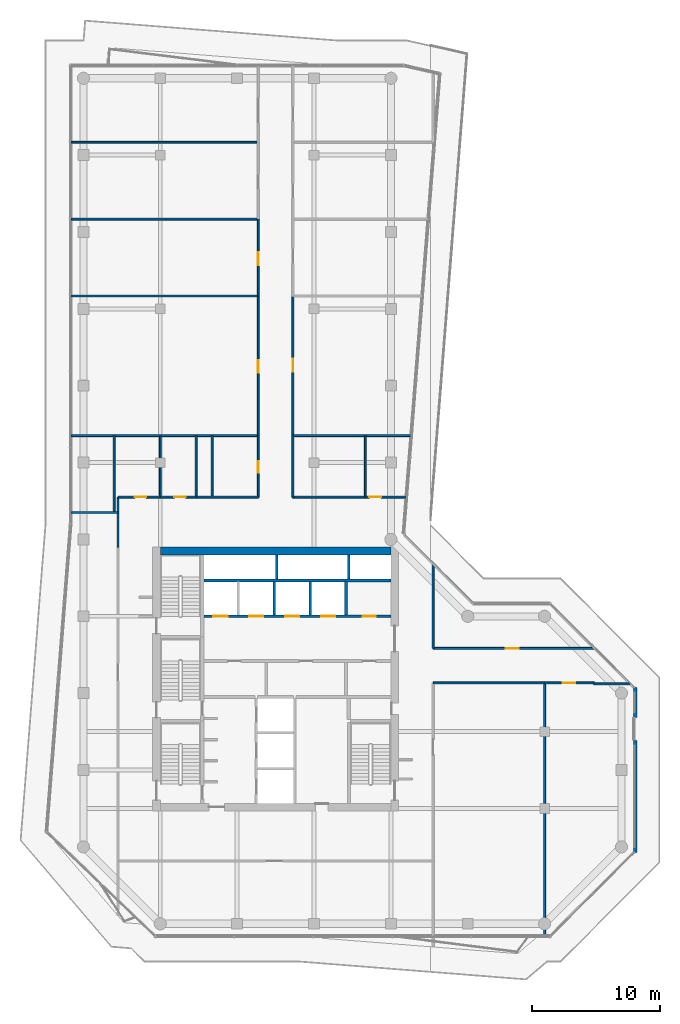
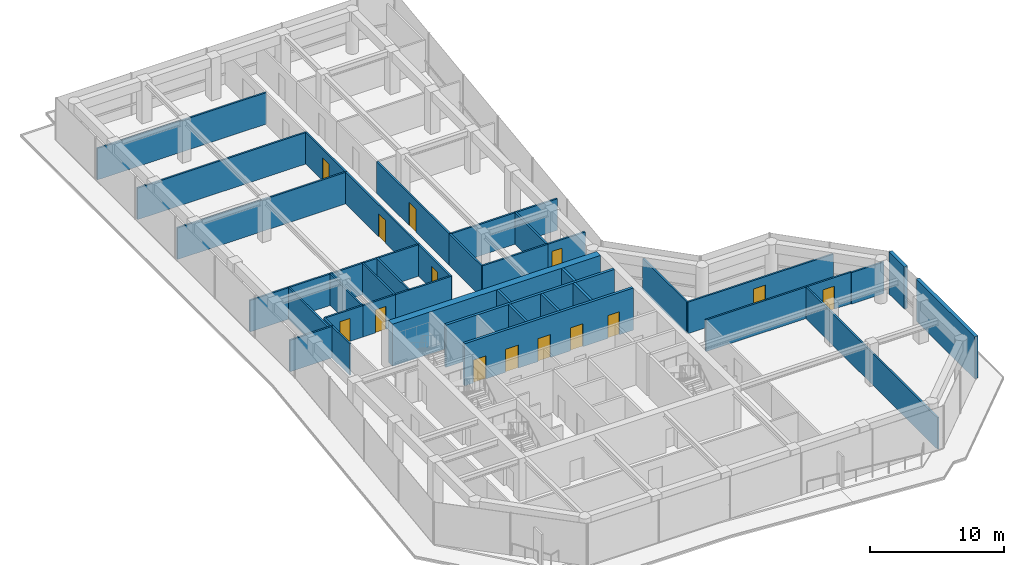
# One storey, part 19 of 22: 38 walls, 14 doors, 14 openings.
"""IFC4 building model written with IfcOpenShell, lengths in metres."""

from ifc_helpers import new_model, si_unit, direction, frame, frame_2d, origin, place, context, subcontext, project, spatial, rectangle, extrude, material, layer, layer_set, type_object, element, fill, save


model = new_model("IFC4")

# Units and contexts
model_context = context("Model", 3, precision=1e-05, world=origin(), true_north=direction((0.0, 1.0)))
body_context = subcontext(model_context, "Body", "Model", "MODEL_VIEW")
ifc_project = project(units=[si_unit("LENGTHUNIT", "METRE"), si_unit("AREAUNIT", "SQUARE_METRE"), si_unit("VOLUMEUNIT", "CUBIC_METRE"), si_unit("PLANEANGLEUNIT", "RADIAN"), si_unit("MASSUNIT", "GRAM", prefix="KILO")], contexts=[model_context])

# Site, building, storey
site_placement = place(None, origin())
site = spatial("IfcSite", under=ifc_project, at=site_placement, CompositionType="ELEMENT")
building_placement = place(site_placement, origin())
building = spatial("IfcBuilding", under=site, at=building_placement, Name="Welwitschia Terrace Campus", CompositionType="ELEMENT")
storey_placement = place(building_placement, frame((0.0, 0.0, 150.800048828125)))
storey = spatial("IfcBuildingStorey", under=building, at=storey_placement, Name="L33", CompositionType="ELEMENT", Elevation=150.800048828125)

# Wall, openings, doors
ifc_material_1 = material(Name="Concrete C32/40", Category="concrete")
ifc_layer_1 = layer(ifc_material_1, 0.22509765625)
ifc_layer_set_1 = layer_set([ifc_layer_1], Name="Concrete C32/40")
wall_type_1 = type_object("IfcWallType", Name="Core partition 225 Concrete C32/40", PredefinedType="PARTITIONING", material=ifc_layer_set_1)
wall_1_placement = place(storey_placement, frame((24.0, 20.0, 0.0), z_axis=(0.0, 0.0, 1.0), x_axis=(-1.0, 0.0, 0.0)))
wall_1 = element("IfcWall", 1, at=wall_1_placement, inside=storey, type_object=wall_type_1, Name="Shaft wall", PredefinedType="PARTITIONING", context=body_context, shape_type="SweptSolid", body=[
    extrude(rectangle(XDim=14.60009765625, YDim=0.22509765625, at=frame_2d((7.300048828125, 0.0))), origin(), (0.0, 0.0, 1.0), 3.849853515625),
])
opening_1_placement = place(wall_1_placement, frame((12.75, 0.0, 0.0)))
opening_1 = element("IfcOpeningElement", 2, at=opening_1_placement, cuts=wall_1, Name="Opening LD", PredefinedType="OPENING", context=body_context, shape_type="SweptSolid", body=[
    extrude(rectangle(XDim=1.10009765625, YDim=2.10009765625, at=frame_2d((0.550048828125, 1.050048828125))), frame((0.0, 0.12255859375, 0.0), z_axis=(0.0, -1.0, 0.0), x_axis=(1.0, 0.0, 0.0)), (0.0, 0.0, 1.0), 0.2451171875),
])
opening_2_placement = place(wall_1_placement, frame((9.949951171875, 0.0, 0.0)))
opening_2 = element("IfcOpeningElement", 3, at=opening_2_placement, cuts=wall_1, Name="Opening LD", PredefinedType="OPENING", context=body_context, shape_type="SweptSolid", body=[
    extrude(rectangle(XDim=1.10009765625, YDim=2.10009765625, at=frame_2d((0.550048828125, 1.050048828125))), frame((0.0, 0.12255859375, 0.0), z_axis=(0.0, -1.0, 0.0), x_axis=(1.0, 0.0, 0.0)), (0.0, 0.0, 1.0), 0.2451171875),
])
opening_3_placement = place(wall_1_placement, frame((7.14990234375, 0.0, 0.0)))
opening_3 = element("IfcOpeningElement", 4, at=opening_3_placement, cuts=wall_1, Name="Opening LD", PredefinedType="OPENING", context=body_context, shape_type="SweptSolid", body=[
    extrude(rectangle(XDim=1.10009765625, YDim=2.10009765625, at=frame_2d((0.550048828125, 1.050048828125))), frame((0.0, 0.12255859375, 0.0), z_axis=(0.0, -1.0, 0.0), x_axis=(1.0, 0.0, 0.0)), (0.0, 0.0, 1.0), 0.2451171875),
])
opening_4_placement = place(wall_1_placement, frame((4.35009765625, 0.0, 0.0)))
opening_4 = element("IfcOpeningElement", 5, at=opening_4_placement, cuts=wall_1, Name="Opening LD", PredefinedType="OPENING", context=body_context, shape_type="SweptSolid", body=[
    extrude(rectangle(XDim=1.10009765625, YDim=2.10009765625, at=frame_2d((0.550048828125, 1.050048828125))), frame((0.0, 0.12255859375, 0.0), z_axis=(0.0, -1.0, 0.0), x_axis=(1.0, 0.0, 0.0)), (0.0, 0.0, 1.0), 0.2451171875),
])
opening_5_placement = place(wall_1_placement, frame((1.199951171875, 0.0, 0.0)))
opening_5 = element("IfcOpeningElement", 6, at=opening_5_placement, cuts=wall_1, Name="Opening DR10", PredefinedType="OPENING", context=body_context, shape_type="SweptSolid", body=[
    extrude(rectangle(XDim=1.0, YDim=2.10009765625, at=frame_2d((0.5, 1.050048828125))), frame((0.0, 0.12255859375, 0.0), z_axis=(0.0, -1.0, 0.0), x_axis=(1.0, 0.0, 0.0)), (0.0, 0.0, 1.0), 0.2451171875),
])
ifc_material_2 = material(Name="Steel S275", Category="steel")
door_type_1 = type_object("IfcDoorType", Name="Core door DR10", OperationType="SINGLE_SWING_LEFT", PredefinedType="DOOR", material=ifc_material_2)
door_1_placement = place(opening_5_placement, origin())
door_1 = element("IfcDoor", 7, at=door_1_placement, inside=storey, type_object=door_type_1, Name="Door EH-D", OperationType="SINGLE_SWING_LEFT", OverallHeight=2.10009765625, OverallWidth=1.0, PredefinedType="DOOR", context=body_context, shape_type="SweptSolid", body=[
    extrude(rectangle(XDim=1.0, YDim=2.10009765625, at=frame_2d((0.5, 1.050048828125))), frame((0.0, 0.02490234375, 0.0), z_axis=(0.0, -1.0, 0.0), x_axis=(1.0, 0.0, 0.0)), (0.0, 0.0, 1.0), 0.050048828125),
])
fill(opening_5, door_1)
ifc_material_3 = material(Name="Stainless steel 304", Category="steel")
door_type_2 = type_object("IfcDoorType", Name="Lift landing door", OperationType="DOUBLE_DOOR_SLIDING", PredefinedType="DOOR", material=ifc_material_3)
door_2_placement = place(opening_1_placement, origin())
door_2 = element("IfcDoor", 8, at=door_2_placement, inside=storey, type_object=door_type_2, Name="Landing door HR1", OperationType="DOUBLE_DOOR_SLIDING", OverallHeight=2.10009765625, OverallWidth=1.10009765625, PredefinedType="DOOR", context=body_context, shape_type="SweptSolid", body=[
    extrude(rectangle(XDim=1.10009765625, YDim=2.10009765625, at=frame_2d((0.550048828125, 1.050048828125))), frame((0.0, 0.02490234375, 0.0), z_axis=(0.0, -1.0, 0.0), x_axis=(1.0, 0.0, 0.0)), (0.0, 0.0, 1.0), 0.050048828125),
])
fill(opening_1, door_2)
door_3_placement = place(opening_2_placement, origin())
door_3 = element("IfcDoor", 9, at=door_3_placement, inside=storey, type_object=door_type_2, Name="Landing door HR2", OperationType="DOUBLE_DOOR_SLIDING", OverallHeight=2.10009765625, OverallWidth=1.10009765625, PredefinedType="DOOR", context=body_context, shape_type="SweptSolid", body=[
    extrude(rectangle(XDim=1.10009765625, YDim=2.10009765625, at=frame_2d((0.550048828125, 1.050048828125))), frame((0.0, 0.02490234375, 0.0), z_axis=(0.0, -1.0, 0.0), x_axis=(1.0, 0.0, 0.0)), (0.0, 0.0, 1.0), 0.050048828125),
])
fill(opening_2, door_3)
door_4_placement = place(opening_3_placement, origin())
door_4 = element("IfcDoor", 10, at=door_4_placement, inside=storey, type_object=door_type_2, Name="Landing door HR3", OperationType="DOUBLE_DOOR_SLIDING", OverallHeight=2.10009765625, OverallWidth=1.10009765625, PredefinedType="DOOR", context=body_context, shape_type="SweptSolid", body=[
    extrude(rectangle(XDim=1.10009765625, YDim=2.10009765625, at=frame_2d((0.550048828125, 1.050048828125))), frame((0.0, 0.02490234375, 0.0), z_axis=(0.0, -1.0, 0.0), x_axis=(1.0, 0.0, 0.0)), (0.0, 0.0, 1.0), 0.050048828125),
])
fill(opening_3, door_4)
door_5_placement = place(opening_4_placement, origin())
door_5 = element("IfcDoor", 11, at=door_5_placement, inside=storey, type_object=door_type_2, Name="Landing door HR4", OperationType="DOUBLE_DOOR_SLIDING", OverallHeight=2.10009765625, OverallWidth=1.10009765625, PredefinedType="DOOR", context=body_context, shape_type="SweptSolid", body=[
    extrude(rectangle(XDim=1.10009765625, YDim=2.10009765625, at=frame_2d((0.550048828125, 1.050048828125))), frame((0.0, 0.02490234375, 0.0), z_axis=(0.0, -1.0, 0.0), x_axis=(1.0, 0.0, 0.0)), (0.0, 0.0, 1.0), 0.050048828125),
])
fill(opening_4, door_5)

# Walls
wall_2_placement = place(storey_placement, frame((9.39990234375, 22.800048828125, 0.0), z_axis=(0.0, 0.0, 1.0), x_axis=(1.0, 0.0, 0.0)))
element("IfcWall", 12, at=wall_2_placement, inside=storey, type_object=wall_type_1, Name="Shaft wall", PredefinedType="PARTITIONING", context=body_context, shape_type="SweptSolid", body=[
    extrude(rectangle(XDim=14.60009765625, YDim=0.22509765625, at=frame_2d((7.300048828125, 0.0))), origin(), (0.0, 0.0, 1.0), 3.849853515625),
])
wall_3_placement = place(storey_placement, frame((20.5, 20.10009765625, 0.0), z_axis=(0.0, 0.0, 1.0), x_axis=(0.0, 1.0, 0.0)))
element("IfcWall", 13, at=wall_3_placement, inside=storey, type_object=wall_type_1, Name="Shaft wall", PredefinedType="PARTITIONING", context=body_context, shape_type="SweptSolid", body=[
    extrude(rectangle(XDim=2.599853515625, YDim=0.22509765625, at=frame_2d((1.2998046875, 0.0))), origin(), (0.0, 0.0, 1.0), 3.849853515625),
])
ifc_material_4 = material(Name="Concrete C50/60", Category="concrete")
ifc_layer_2 = layer(ifc_material_4, 0.199951171875)
ifc_layer_set_2 = layer_set([ifc_layer_2], Name="Concrete C50/60")
wall_type_2 = type_object("IfcWallType", Name="Core wall 200 Concrete C50/60", PredefinedType="SHEAR", material=ifc_layer_set_2)
for number, where, z_axis, x_axis, name in (
    (14, (15.10009765625, 22.89990234375, 0.0), (0.0, 0.0, 1.0), (0.0, 1.0, 0.0), "Core wall"),
    (15, (20.699951171875, 22.89990234375, 0.0), (0.0, 0.0, 1.0), (0.0, 1.0, 0.0), "Core wall"),
):
    element("IfcWall", number, at=place(storey_placement, frame(where, z_axis=z_axis, x_axis=x_axis)), inside=storey, type_object=wall_type_2, Name=name, PredefinedType="SHEAR", context=body_context, shape_type="SweptSolid", body=[
        extrude(rectangle(XDim=1.900146484375, YDim=0.199951171875, at=frame_2d((0.9501953125, 0.0))), origin(), (0.0, 0.0, 1.0), 3.849853515625),
    ])
ifc_material_5 = material(Name="Concrete C60/75", Category="concrete")
ifc_layer_3 = layer(ifc_material_5, 0.60009765625)
ifc_layer_set_3 = layer_set([ifc_layer_3], Name="Concrete C60/75")
wall_type_3 = type_object("IfcWallType", Name="Core wall 600 Concrete C60/75", PredefinedType="SHEAR", material=ifc_layer_set_3)
wall_4_placement = place(storey_placement, frame((6.0, 25.10009765625, 0.0), z_axis=(0.0, 0.0, 1.0), x_axis=(1.0, 0.0, 0.0)))
element("IfcWall", 16, at=wall_4_placement, inside=storey, type_object=wall_type_3, Name="Core outer wall", PredefinedType="SHEAR", context=body_context, shape_type="SweptSolid", body=[
    extrude(rectangle(XDim=18.0, YDim=0.60009765625, at=frame_2d((9.0, 0.0))), origin(), (0.0, 0.0, 1.0), 3.849853515625),
])
ifc_material_6 = material(Name="Gypsum board on steel studs", Category="steel")
ifc_layer_4 = layer(ifc_material_6, 0.14990234375)
ifc_layer_set_4 = layer_set([ifc_layer_4], Name="Gypsum board on steel studs")
wall_type_4 = type_object("IfcWallType", Name="Corridor partition 150 EI 30", PredefinedType="PARTITIONING", material=ifc_layer_set_4)
wall_5_placement = place(storey_placement, frame((-0.97998046875, 28.10009765625, 0.0), z_axis=(0.0, 0.0, 1.0), x_axis=(1.0, 0.0, 0.0)))
element("IfcWall", 17, at=wall_5_placement, inside=storey, type_object=wall_type_4, Name="Partition", PredefinedType="PARTITIONING", context=body_context, shape_type="SweptSolid", body=[
    extrude(rectangle(XDim=3.679931640625, YDim=0.14990234375, at=frame_2d((1.83984375, 0.0))), origin(), (0.0, 0.0, 1.0), 2.8798828125),
])
wall_6_placement = place(storey_placement, frame((-0.97998046875, 34.10009765625, 0.0), z_axis=(0.0, 0.0, 1.0), x_axis=(1.0, 0.0, 0.0)))
element("IfcWall", 18, at=wall_6_placement, inside=storey, type_object=wall_type_4, Name="Partition", PredefinedType="PARTITIONING", context=body_context, shape_type="SweptSolid", body=[
    extrude(rectangle(XDim=14.6298828125, YDim=0.14990234375, at=frame_2d((7.31494140625, 0.0))), origin(), (0.0, 0.0, 1.0), 2.8798828125),
])
for number, where, z_axis, x_axis, name in (
    (19, (-0.965087890625, 45.0, 0.0), (0.0, 0.0, 1.0), (1.0, 0.0, 0.0), "Partition"),
    (20, (-0.965087890625, 51.0, 0.0), (0.0, 0.0, 1.0), (1.0, 0.0, 0.0), "Partition"),
    (21, (-0.965087890625, 57.0, 0.0), (0.0, 0.0, 1.0), (1.0, 0.0, 0.0), "Partition"),
):
    element("IfcWall", number, at=place(storey_placement, frame(where, z_axis=z_axis, x_axis=x_axis)), inside=storey, type_object=wall_type_4, Name=name, PredefinedType="PARTITIONING", context=body_context, shape_type="SweptSolid", body=[
        extrude(rectangle(XDim=14.614990234375, YDim=0.14990234375, at=frame_2d((7.3076171875, 0.0))), origin(), (0.0, 0.0, 1.0), 2.8798828125),
    ])
wall_7_placement = place(storey_placement, frame((2.39990234375, 28.10009765625, 0.0), z_axis=(0.0, 0.0, 1.0), x_axis=(0.0, 1.0, 0.0)))
element("IfcWall", 22, at=wall_7_placement, inside=storey, type_object=wall_type_4, Name="Partition", PredefinedType="PARTITIONING", context=body_context, shape_type="SweptSolid", body=[
    extrude(rectangle(XDim=6.0, YDim=0.14990234375, at=frame_2d((3.0, 0.0))), origin(), (0.0, 0.0, 1.0), 2.8798828125),
])
wall_8_placement = place(storey_placement, frame((2.699951171875, 25.39990234375, 0.0), z_axis=(0.0, 0.0, 1.0), x_axis=(0.0, 1.0, 0.0)))
element("IfcWall", 23, at=wall_8_placement, inside=storey, type_object=wall_type_4, Name="Partition", PredefinedType="PARTITIONING", context=body_context, shape_type="SweptSolid", body=[
    extrude(rectangle(XDim=3.900146484375, YDim=0.14990234375, at=frame_2d((1.9501953125, 0.0))), origin(), (0.0, 0.0, 1.0), 2.8798828125),
])

# Wall, opening, door
wall_9_placement = place(storey_placement, frame((2.699951171875, 29.300048828125, 0.0), z_axis=(0.0, 0.0, 1.0), x_axis=(1.0, 0.0, 0.0)))
wall_9 = element("IfcWall", 24, at=wall_9_placement, inside=storey, type_object=wall_type_4, Name="Partition", PredefinedType="PARTITIONING", context=body_context, shape_type="SweptSolid", body=[
    extrude(rectangle(XDim=3.300048828125, YDim=0.14990234375, at=frame_2d((1.64990234375, 0.0))), origin(), (0.0, 0.0, 1.0), 2.8798828125),
])
opening_6_placement = place(wall_9_placement, frame((1.300048828125, 0.0, 0.0)))
opening_6 = element("IfcOpeningElement", 25, at=opening_6_placement, cuts=wall_9, Name="Opening DI09", PredefinedType="OPENING", context=body_context, shape_type="SweptSolid", body=[
    extrude(rectangle(XDim=0.89990234375, YDim=2.10009765625, at=frame_2d((0.449951171875, 1.050048828125))), frame((0.0, 0.0849609375, 0.0), z_axis=(0.0, -1.0, 0.0), x_axis=(1.0, 0.0, 0.0)), (0.0, 0.0, 1.0), 0.169921875),
])
ifc_material_7 = material(Name="Timber veneered door", Category="wood")
door_type_3 = type_object("IfcDoorType", Name="Interior door DI09", OperationType="NOTDEFINED", PredefinedType="DOOR", material=ifc_material_7)
door_6_placement = place(opening_6_placement, origin())
door_6 = element("IfcDoor", 26, at=door_6_placement, inside=storey, type_object=door_type_3, Name="Door L33 677", OperationType="SINGLE_SWING_RIGHT", OverallHeight=2.10009765625, OverallWidth=0.89990234375, PredefinedType="DOOR", context=body_context, shape_type="SweptSolid", body=[
    extrude(rectangle(XDim=0.89990234375, YDim=2.10009765625, at=frame_2d((0.449951171875, 1.050048828125))), frame((0.0, 0.02490234375, 0.0), z_axis=(0.0, -1.0, 0.0), x_axis=(1.0, 0.0, 0.0)), (0.0, 0.0, 1.0), 0.050048828125),
])
fill(opening_6, door_6)

# Wall
wall_10_placement = place(storey_placement, frame((6.0, 29.300048828125, 0.0), z_axis=(0.0, 0.0, 1.0), x_axis=(0.0, 1.0, 0.0)))
element("IfcWall", 27, at=wall_10_placement, inside=storey, type_object=wall_type_4, Name="Partition", PredefinedType="PARTITIONING", context=body_context, shape_type="SweptSolid", body=[
    extrude(rectangle(XDim=4.800048828125, YDim=0.14990234375, at=frame_2d((2.39990234375, 0.0))), origin(), (0.0, 0.0, 1.0), 2.8798828125),
])

# Wall, opening, door
wall_11_placement = place(storey_placement, frame((6.0, 29.300048828125, 0.0), z_axis=(0.0, 0.0, 1.0), x_axis=(1.0, 0.0, 0.0)))
wall_11 = element("IfcWall", 28, at=wall_11_placement, inside=storey, type_object=wall_type_4, Name="Partition", PredefinedType="PARTITIONING", context=body_context, shape_type="SweptSolid", body=[
    extrude(rectangle(XDim=2.800048828125, YDim=0.14990234375, at=frame_2d((1.39990234375, 0.0))), origin(), (0.0, 0.0, 1.0), 2.8798828125),
])
opening_7_placement = place(wall_11_placement, frame((1.10009765625, 0.0, 0.0)))
opening_7 = element("IfcOpeningElement", 29, at=opening_7_placement, cuts=wall_11, Name="Opening DI09", PredefinedType="OPENING", context=body_context, shape_type="SweptSolid", body=[
    extrude(rectangle(XDim=0.89990234375, YDim=2.10009765625, at=frame_2d((0.449951171875, 1.050048828125))), frame((0.0, 0.0849609375, 0.0), z_axis=(0.0, -1.0, 0.0), x_axis=(1.0, 0.0, 0.0)), (0.0, 0.0, 1.0), 0.169921875),
])
door_7_placement = place(opening_7_placement, origin())
door_7 = element("IfcDoor", 30, at=door_7_placement, inside=storey, type_object=door_type_3, Name="Door L33 678", OperationType="SINGLE_SWING_LEFT", OverallHeight=2.10009765625, OverallWidth=0.89990234375, PredefinedType="DOOR", context=body_context, shape_type="SweptSolid", body=[
    extrude(rectangle(XDim=0.89990234375, YDim=2.10009765625, at=frame_2d((0.449951171875, 1.050048828125))), frame((0.0, 0.02490234375, 0.0), z_axis=(0.0, -1.0, 0.0), x_axis=(1.0, 0.0, 0.0)), (0.0, 0.0, 1.0), 0.050048828125),
])
fill(opening_7, door_7)

# Walls
wall_12_placement = place(storey_placement, frame((8.800048828125, 29.300048828125, 0.0), z_axis=(0.0, 0.0, 1.0), x_axis=(0.0, 1.0, 0.0)))
element("IfcWall", 31, at=wall_12_placement, inside=storey, type_object=wall_type_4, Name="Partition", PredefinedType="PARTITIONING", context=body_context, shape_type="SweptSolid", body=[
    extrude(rectangle(XDim=4.800048828125, YDim=0.14990234375, at=frame_2d((2.39990234375, 0.0))), origin(), (0.0, 0.0, 1.0), 2.8798828125),
])
wall_13_placement = place(storey_placement, frame((8.800048828125, 29.300048828125, 0.0), z_axis=(0.0, 0.0, 1.0), x_axis=(1.0, 0.0, 0.0)))
element("IfcWall", 32, at=wall_13_placement, inside=storey, type_object=wall_type_4, Name="Partition", PredefinedType="PARTITIONING", context=body_context, shape_type="SweptSolid", body=[
    extrude(rectangle(XDim=4.849853515625, YDim=0.14990234375, at=frame_2d((2.4248046875, 0.0))), origin(), (0.0, 0.0, 1.0), 2.8798828125),
])
wall_14_placement = place(storey_placement, frame((10.050048828125, 29.300048828125, 0.0), z_axis=(0.0, 0.0, 1.0), x_axis=(0.0, 1.0, 0.0)))
element("IfcWall", 33, at=wall_14_placement, inside=storey, type_object=wall_type_4, Name="Partition", PredefinedType="PARTITIONING", context=body_context, shape_type="SweptSolid", body=[
    extrude(rectangle(XDim=4.800048828125, YDim=0.14990234375, at=frame_2d((2.39990234375, 0.0))), origin(), (0.0, 0.0, 1.0), 2.8798828125),
])

# Wall, opening, door
wall_15_placement = place(storey_placement, frame((13.64990234375, 29.300048828125, 0.0), z_axis=(0.0, 0.0, 1.0), x_axis=(0.0, 1.0, 0.0)))
wall_15 = element("IfcWall", 34, at=wall_15_placement, inside=storey, type_object=wall_type_4, Name="Partition", PredefinedType="PARTITIONING", context=body_context, shape_type="SweptSolid", body=[
    extrude(rectangle(XDim=4.800048828125, YDim=0.14990234375, at=frame_2d((2.39990234375, 0.0))), origin(), (0.0, 0.0, 1.0), 2.8798828125),
])
opening_8_placement = place(wall_15_placement, frame((1.89990234375, 0.0, 0.0)))
opening_8 = element("IfcOpeningElement", 35, at=opening_8_placement, cuts=wall_15, Name="Opening DI09", PredefinedType="OPENING", context=body_context, shape_type="SweptSolid", body=[
    extrude(rectangle(XDim=0.89990234375, YDim=2.10009765625, at=frame_2d((0.449951171875, 1.050048828125))), frame((0.0, 0.0849609375, 0.0), z_axis=(0.0, -1.0, 0.0), x_axis=(1.0, 0.0, 0.0)), (0.0, 0.0, 1.0), 0.169921875),
])
door_8_placement = place(opening_8_placement, origin())
door_8 = element("IfcDoor", 36, at=door_8_placement, inside=storey, type_object=door_type_3, Name="Door L33 679", OperationType="SINGLE_SWING_RIGHT", OverallHeight=2.10009765625, OverallWidth=0.89990234375, PredefinedType="DOOR", context=body_context, shape_type="SweptSolid", body=[
    extrude(rectangle(XDim=0.89990234375, YDim=2.10009765625, at=frame_2d((0.449951171875, 1.050048828125))), frame((0.0, 0.02490234375, 0.0), z_axis=(0.0, -1.0, 0.0), x_axis=(1.0, 0.0, 0.0)), (0.0, 0.0, 1.0), 0.050048828125),
])
fill(opening_8, door_8)

wall_16_placement = place(storey_placement, frame((13.64990234375, 34.10009765625, 0.0), z_axis=(0.0, 0.0, 1.0), x_axis=(0.0, 1.0, 0.0)))
wall_16 = element("IfcWall", 37, at=wall_16_placement, inside=storey, type_object=wall_type_4, Name="Partition", PredefinedType="PARTITIONING", context=body_context, shape_type="SweptSolid", body=[
    extrude(rectangle(XDim=10.89990234375, YDim=0.14990234375, at=frame_2d((5.449951171875, 0.0))), origin(), (0.0, 0.0, 1.0), 2.8798828125),
])
opening_9_placement = place(wall_16_placement, frame((4.89990234375, 0.0, 0.0)))
opening_9 = element("IfcOpeningElement", 38, at=opening_9_placement, cuts=wall_16, Name="Opening DI10", PredefinedType="OPENING", context=body_context, shape_type="SweptSolid", body=[
    extrude(rectangle(XDim=1.0, YDim=2.10009765625, at=frame_2d((0.5, 1.050048828125))), frame((0.0, 0.0849609375, 0.0), z_axis=(0.0, -1.0, 0.0), x_axis=(1.0, 0.0, 0.0)), (0.0, 0.0, 1.0), 0.169921875),
])
ifc_material_8 = material(Name="Timber veneered door", Category="wood")
door_type_4 = type_object("IfcDoorType", Name="Interior door DI10", OperationType="NOTDEFINED", PredefinedType="DOOR", material=ifc_material_8)
door_9_placement = place(opening_9_placement, origin())
door_9 = element("IfcDoor", 39, at=door_9_placement, inside=storey, type_object=door_type_4, Name="Door L33 680", OperationType="SINGLE_SWING_LEFT", OverallHeight=2.10009765625, OverallWidth=1.0, PredefinedType="DOOR", context=body_context, shape_type="SweptSolid", body=[
    extrude(rectangle(XDim=1.0, YDim=2.10009765625, at=frame_2d((0.5, 1.050048828125))), frame((0.0, 0.02490234375, 0.0), z_axis=(0.0, -1.0, 0.0), x_axis=(1.0, 0.0, 0.0)), (0.0, 0.0, 1.0), 0.050048828125),
])
fill(opening_9, door_9)

wall_17_placement = place(storey_placement, frame((13.64990234375, 45.0, 0.0), z_axis=(0.0, 0.0, 1.0), x_axis=(0.0, 1.0, 0.0)))
wall_17 = element("IfcWall", 40, at=wall_17_placement, inside=storey, type_object=wall_type_4, Name="Partition", PredefinedType="PARTITIONING", context=body_context, shape_type="SweptSolid", body=[
    extrude(rectangle(XDim=6.0, YDim=0.14990234375, at=frame_2d((3.0, 0.0))), origin(), (0.0, 0.0, 1.0), 2.8798828125),
])
opening_10_placement = place(wall_17_placement, frame((2.39990234375, 0.0, 0.0)))
opening_10 = element("IfcOpeningElement", 41, at=opening_10_placement, cuts=wall_17, Name="Opening DI10", PredefinedType="OPENING", context=body_context, shape_type="SweptSolid", body=[
    extrude(rectangle(XDim=1.0, YDim=2.10009765625, at=frame_2d((0.5, 1.050048828125))), frame((0.0, 0.0849609375, 0.0), z_axis=(0.0, -1.0, 0.0), x_axis=(1.0, 0.0, 0.0)), (0.0, 0.0, 1.0), 0.169921875),
])
door_10_placement = place(opening_10_placement, origin())
door_10 = element("IfcDoor", 42, at=door_10_placement, inside=storey, type_object=door_type_4, Name="Door L33 681", OperationType="SINGLE_SWING_RIGHT", OverallHeight=2.10009765625, OverallWidth=1.0, PredefinedType="DOOR", context=body_context, shape_type="SweptSolid", body=[
    extrude(rectangle(XDim=1.0, YDim=2.10009765625, at=frame_2d((0.5, 1.050048828125))), frame((0.0, 0.02490234375, 0.0), z_axis=(0.0, -1.0, 0.0), x_axis=(1.0, 0.0, 0.0)), (0.0, 0.0, 1.0), 0.050048828125),
])
fill(opening_10, door_10)

# Walls
wall_18_placement = place(storey_placement, frame((16.35009765625, 29.300048828125, 0.0), z_axis=(0.0, 0.0, 1.0), x_axis=(0.0, 1.0, 0.0)))
element("IfcWall", 43, at=wall_18_placement, inside=storey, type_object=wall_type_4, Name="Partition", PredefinedType="PARTITIONING", context=body_context, shape_type="SweptSolid", body=[
    extrude(rectangle(XDim=4.800048828125, YDim=0.14990234375, at=frame_2d((2.39990234375, 0.0))), origin(), (0.0, 0.0, 1.0), 2.8798828125),
])
wall_19_placement = place(storey_placement, frame((16.35009765625, 29.300048828125, 0.0), z_axis=(0.0, 0.0, 1.0), x_axis=(1.0, 0.0, 0.0)))
element("IfcWall", 44, at=wall_19_placement, inside=storey, type_object=wall_type_4, Name="Partition", PredefinedType="PARTITIONING", context=body_context, shape_type="SweptSolid", body=[
    extrude(rectangle(XDim=5.64990234375, YDim=0.14990234375, at=frame_2d((2.824951171875, 0.0))), origin(), (0.0, 0.0, 1.0), 2.8798828125),
])
wall_20_placement = place(storey_placement, frame((16.35009765625, 34.10009765625, 0.0), z_axis=(0.0, 0.0, 1.0), x_axis=(1.0, 0.0, 0.0)))
element("IfcWall", 45, at=wall_20_placement, inside=storey, type_object=wall_type_4, Name="Partition", PredefinedType="PARTITIONING", context=body_context, shape_type="SweptSolid", body=[
    extrude(rectangle(XDim=9.25, YDim=0.14990234375, at=frame_2d((4.625, 0.0))), origin(), (0.0, 0.0, 1.0), 2.8798828125),
])

# Wall, opening, door
wall_21_placement = place(storey_placement, frame((16.35009765625, 45.0, 0.0), z_axis=(0.0, 0.0, 1.0), x_axis=(0.0, -1.0, 0.0)))
wall_21 = element("IfcWall", 46, at=wall_21_placement, inside=storey, type_object=wall_type_4, Name="Partition", PredefinedType="PARTITIONING", context=body_context, shape_type="SweptSolid", body=[
    extrude(rectangle(XDim=10.89990234375, YDim=0.14990234375, at=frame_2d((5.449951171875, 0.0))), origin(), (0.0, 0.0, 1.0), 2.8798828125),
])
opening_11_placement = place(wall_21_placement, frame((4.89990234375, 0.0, 0.0)))
opening_11 = element("IfcOpeningElement", 47, at=opening_11_placement, cuts=wall_21, Name="Opening DI10", PredefinedType="OPENING", context=body_context, shape_type="SweptSolid", body=[
    extrude(rectangle(XDim=1.0, YDim=2.10009765625, at=frame_2d((0.5, 1.050048828125))), frame((0.0, 0.0849609375, 0.0), z_axis=(0.0, -1.0, 0.0), x_axis=(1.0, 0.0, 0.0)), (0.0, 0.0, 1.0), 0.169921875),
])
door_11_placement = place(opening_11_placement, origin())
door_11 = element("IfcDoor", 48, at=door_11_placement, inside=storey, type_object=door_type_4, Name="Door L33 684", OperationType="SINGLE_SWING_LEFT", OverallHeight=2.10009765625, OverallWidth=1.0, PredefinedType="DOOR", context=body_context, shape_type="SweptSolid", body=[
    extrude(rectangle(XDim=1.0, YDim=2.10009765625, at=frame_2d((0.5, 1.050048828125))), frame((0.0, 0.02490234375, 0.0), z_axis=(0.0, -1.0, 0.0), x_axis=(1.0, 0.0, 0.0)), (0.0, 0.0, 1.0), 0.050048828125),
])
fill(opening_11, door_11)

# Wall
wall_22_placement = place(storey_placement, frame((22.0, 29.300048828125, 0.0), z_axis=(0.0, 0.0, 1.0), x_axis=(0.0, 1.0, 0.0)))
element("IfcWall", 49, at=wall_22_placement, inside=storey, type_object=wall_type_4, Name="Partition", PredefinedType="PARTITIONING", context=body_context, shape_type="SweptSolid", body=[
    extrude(rectangle(XDim=4.800048828125, YDim=0.14990234375, at=frame_2d((2.39990234375, 0.0))), origin(), (0.0, 0.0, 1.0), 2.8798828125),
])

# Wall, opening, door
wall_23_placement = place(storey_placement, frame((22.0, 29.300048828125, 0.0), z_axis=(0.0, 0.0, 1.0), x_axis=(1.0, 0.0, 0.0)))
wall_23 = element("IfcWall", 50, at=wall_23_placement, inside=storey, type_object=wall_type_4, Name="Partition", PredefinedType="PARTITIONING", context=body_context, shape_type="SweptSolid", body=[
    extrude(rectangle(XDim=3.22998046875, YDim=0.14990234375, at=frame_2d((1.614990234375, 0.0))), origin(), (0.0, 0.0, 1.0), 2.8798828125),
])
opening_12_placement = place(wall_23_placement, frame((0.330078125, 0.0, 0.0)))
opening_12 = element("IfcOpeningElement", 51, at=opening_12_placement, cuts=wall_23, Name="Opening DI09", PredefinedType="OPENING", context=body_context, shape_type="SweptSolid", body=[
    extrude(rectangle(XDim=0.89990234375, YDim=2.10009765625, at=frame_2d((0.449951171875, 1.050048828125))), frame((0.0, 0.0849609375, 0.0), z_axis=(0.0, -1.0, 0.0), x_axis=(1.0, 0.0, 0.0)), (0.0, 0.0, 1.0), 0.169921875),
])
door_12_placement = place(opening_12_placement, origin())
door_12 = element("IfcDoor", 52, at=door_12_placement, inside=storey, type_object=door_type_3, Name="Door L33 688", OperationType="SINGLE_SWING_LEFT", OverallHeight=2.10009765625, OverallWidth=0.89990234375, PredefinedType="DOOR", context=body_context, shape_type="SweptSolid", body=[
    extrude(rectangle(XDim=0.89990234375, YDim=2.10009765625, at=frame_2d((0.449951171875, 1.050048828125))), frame((0.0, 0.02490234375, 0.0), z_axis=(0.0, -1.0, 0.0), x_axis=(1.0, 0.0, 0.0)), (0.0, 0.0, 1.0), 0.050048828125),
])
fill(opening_12, door_12)

# Walls
wall_24_placement = place(storey_placement, frame((27.300048828125, 14.800048828125, 0.0), z_axis=(0.0, 0.0, 1.0), x_axis=(1.0, 0.0, 0.0)))
element("IfcWall", 53, at=wall_24_placement, inside=storey, type_object=wall_type_4, Name="Partition", PredefinedType="PARTITIONING", context=body_context, shape_type="SweptSolid", body=[
    extrude(rectangle(XDim=8.699951171875, YDim=0.14990234375, at=frame_2d((4.35009765625, 0.0))), origin(), (0.0, 0.0, 1.0), 2.8798828125),
])
wall_25_placement = place(storey_placement, frame((27.300048828125, 17.5, 0.0), z_axis=(0.0, 0.0, 1.0), x_axis=(0.0, 1.0, 0.0)))
element("IfcWall", 54, at=wall_25_placement, inside=storey, type_object=wall_type_4, Name="Partition", PredefinedType="PARTITIONING", context=body_context, shape_type="SweptSolid", body=[
    extrude(rectangle(XDim=6.580078125, YDim=0.14990234375, at=frame_2d((3.2900390625, 0.0))), origin(), (0.0, 0.0, 1.0), 2.8798828125),
])

# Wall, opening, door
wall_26_placement = place(storey_placement, frame((27.300048828125, 17.5, 0.0), z_axis=(0.0, 0.0, 1.0), x_axis=(1.0, 0.0, 0.0)))
wall_26 = element("IfcWall", 55, at=wall_26_placement, inside=storey, type_object=wall_type_4, Name="Partition", PredefinedType="PARTITIONING", context=body_context, shape_type="SweptSolid", body=[
    extrude(rectangle(XDim=12.579833984375, YDim=0.14990234375, at=frame_2d((6.2900390625, 0.0))), origin(), (0.0, 0.0, 1.0), 2.8798828125),
])
opening_13_placement = place(wall_26_placement, frame((5.679931640625, 0.0, 0.0)))
opening_13 = element("IfcOpeningElement", 56, at=opening_13_placement, cuts=wall_26, Name="Opening DI10", PredefinedType="OPENING", context=body_context, shape_type="SweptSolid", body=[
    extrude(rectangle(XDim=1.0, YDim=2.10009765625, at=frame_2d((0.5, 1.050048828125))), frame((0.0, 0.0849609375, 0.0), z_axis=(0.0, -1.0, 0.0), x_axis=(1.0, 0.0, 0.0)), (0.0, 0.0, 1.0), 0.169921875),
])
door_13_placement = place(opening_13_placement, origin())
door_13 = element("IfcDoor", 57, at=door_13_placement, inside=storey, type_object=door_type_4, Name="Door L33 691", OperationType="SINGLE_SWING_RIGHT", OverallHeight=2.10009765625, OverallWidth=1.0, PredefinedType="DOOR", context=body_context, shape_type="SweptSolid", body=[
    extrude(rectangle(XDim=1.0, YDim=2.10009765625, at=frame_2d((0.5, 1.050048828125))), frame((0.0, 0.02490234375, 0.0), z_axis=(0.0, -1.0, 0.0), x_axis=(1.0, 0.0, 0.0)), (0.0, 0.0, 1.0), 0.050048828125),
])
fill(opening_13, door_13)

# Walls
wall_27_placement = place(storey_placement, frame((36.0, -4.969970703125, 0.0), z_axis=(0.0, 0.0, 1.0), x_axis=(0.0, 1.0, 0.0)))
element("IfcWall", 58, at=wall_27_placement, inside=storey, type_object=wall_type_4, Name="Partition", PredefinedType="PARTITIONING", context=body_context, shape_type="SweptSolid", body=[
    extrude(rectangle(XDim=19.77001953125, YDim=0.14990234375, at=frame_2d((9.885009765625, 0.0))), origin(), (0.0, 0.0, 1.0), 2.8798828125),
])
wall_28_placement = place(storey_placement, frame((39.840087890625, 14.719970703125, 0.0), z_axis=(0.0, 0.0, 1.0), x_axis=(1.0, 0.0, 0.0)))
element("IfcWall", 59, at=wall_28_placement, inside=storey, type_object=wall_type_4, Name="Partition", PredefinedType="PARTITIONING", context=body_context, shape_type="SweptSolid", body=[
    extrude(rectangle(XDim=2.811767578125, YDim=0.14990234375, at=frame_2d((1.40576171875, 0.0))), origin(), (0.0, 0.0, 1.0), 2.8798828125),
])

# Wall, opening, door
wall_29_placement = place(storey_placement, frame((39.8701171875, 14.800048828125, 0.0), z_axis=(0.0, 0.0, 1.0), x_axis=(-1.0, 0.0, 0.0)))
wall_29 = element("IfcWall", 60, at=wall_29_placement, inside=storey, type_object=wall_type_4, Name="Partition", PredefinedType="PARTITIONING", context=body_context, shape_type="SweptSolid", body=[
    extrude(rectangle(XDim=3.8701171875, YDim=0.14990234375, at=frame_2d((1.93505859375, 0.0))), origin(), (0.0, 0.0, 1.0), 2.8798828125),
])
opening_14_placement = place(wall_29_placement, frame((1.469970703125, 0.0, 0.0)))
opening_14 = element("IfcOpeningElement", 61, at=opening_14_placement, cuts=wall_29, Name="Opening DI10", PredefinedType="OPENING", context=body_context, shape_type="SweptSolid", body=[
    extrude(rectangle(XDim=1.0, YDim=2.10009765625, at=frame_2d((0.5, 1.050048828125))), frame((0.0, 0.0849609375, 0.0), z_axis=(0.0, -1.0, 0.0), x_axis=(1.0, 0.0, 0.0)), (0.0, 0.0, 1.0), 0.169921875),
])
door_14_placement = place(opening_14_placement, origin())
door_14 = element("IfcDoor", 62, at=door_14_placement, inside=storey, type_object=door_type_4, Name="Door L33 692", OperationType="SINGLE_SWING_LEFT", OverallHeight=2.10009765625, OverallWidth=1.0, PredefinedType="DOOR", context=body_context, shape_type="SweptSolid", body=[
    extrude(rectangle(XDim=1.0, YDim=2.10009765625, at=frame_2d((0.5, 1.050048828125))), frame((0.0, 0.02490234375, 0.0), z_axis=(0.0, -1.0, 0.0), x_axis=(1.0, 0.0, 0.0)), (0.0, 0.0, 1.0), 0.050048828125),
])
fill(opening_14, door_14)

# Walls
ifc_material_9 = material(Name="Concrete C40/50", Category="concrete")
ifc_layer_5 = layer(ifc_material_9, 0.300048828125)
ifc_layer_set_5 = layer_set([ifc_layer_5], Name="Concrete C40/50")
wall_type_5 = type_object("IfcWallType", Name="Mass wall 300", PredefinedType="SOLIDWALL", material=ifc_layer_set_5)
wall_30_placement = place(storey_placement, frame((43.07958984375, 1.573486328125, 0.0), z_axis=(0.0, 0.0, 1.0), x_axis=(0.0, 1.0, 0.0)))
element("IfcWall", 63, at=wall_30_placement, inside=storey, type_object=wall_type_5, Name="Mass wall L33.5.0", PredefinedType="SOLIDWALL", context=body_context, shape_type="SweptSolid", body=[
    extrude(rectangle(XDim=8.73974609375, YDim=0.300048828125, at=frame_2d((4.369873046875, 0.0))), origin(), (0.0, 0.0, 1.0), 3.849853515625),
])
wall_31_placement = place(storey_placement, frame((43.07958984375, 12.11328125, 0.0), z_axis=(0.0, 0.0, 1.0), x_axis=(0.0, 1.0, 0.0)))
element("IfcWall", 64, at=wall_31_placement, inside=storey, type_object=wall_type_5, Name="Mass wall L33.5.1", PredefinedType="SOLIDWALL", context=body_context, shape_type="SweptSolid", body=[
    extrude(rectangle(XDim=2.313232421875, YDim=0.300048828125, at=frame_2d((1.15673828125, 0.0))), origin(), (0.0, 0.0, 1.0), 3.849853515625),
])
ifc_material_10 = material(Name="Concrete C32/40", Category="concrete")
ifc_layer_6 = layer(ifc_material_10, 0.199951171875)
ifc_layer_set_6 = layer_set([ifc_layer_6], Name="Concrete C32/40")
wall_type_6 = type_object("IfcWallType", Name="Shaft wall 200 Concrete C32/40", PredefinedType="SOLIDWALL", material=ifc_layer_set_6)
for number, where, z_axis, x_axis, name in (
    (65, (14.89990234375, 20.10009765625, 0.0), (0.0, 0.0, 1.0), (0.0, 1.0, 0.0), "Shaft wall"),
    (66, (17.699951171875, 20.10009765625, 0.0), (0.0, 0.0, 1.0), (0.0, 1.0, 0.0), "Shaft wall"),
):
    element("IfcWall", number, at=place(storey_placement, frame(where, z_axis=z_axis, x_axis=x_axis)), inside=storey, type_object=wall_type_6, Name=name, PredefinedType="SOLIDWALL", context=body_context, shape_type="SweptSolid", body=[
        extrude(rectangle(XDim=2.599853515625, YDim=0.199951171875, at=frame_2d((1.2998046875, 0.0))), origin(), (0.0, 0.0, 1.0), 3.849853515625),
    ])

save(model, "model.ifc")
